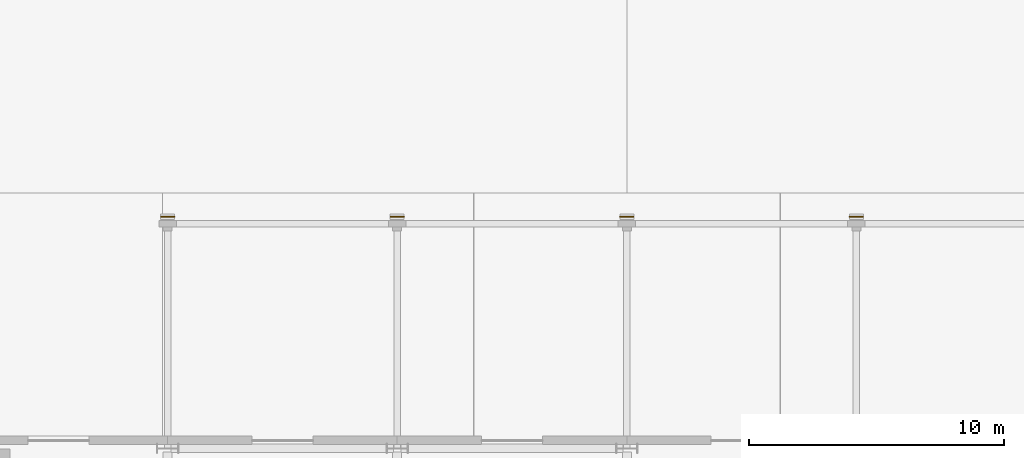
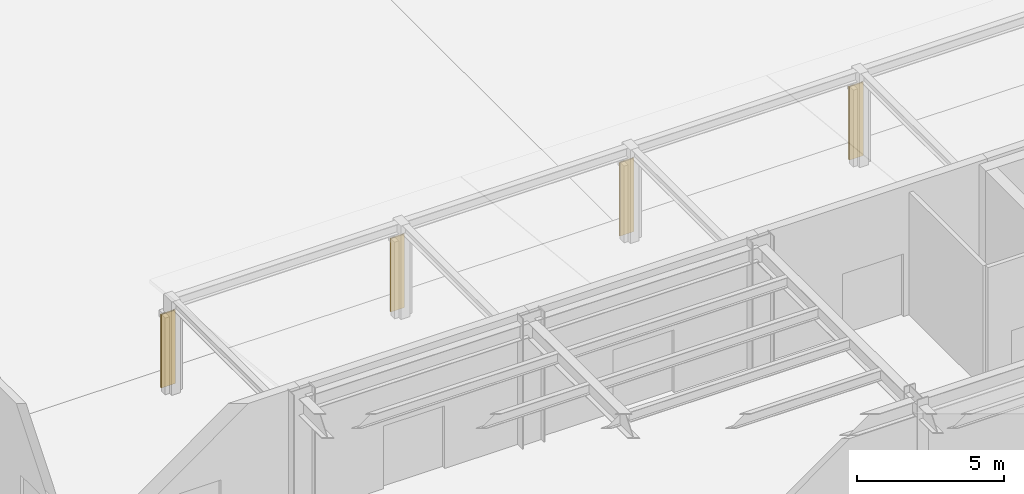
# One storey, part 87 of 94: 4 coverings.
"""IFC4 building model written with IfcOpenShell, lengths in metres."""

from ifc_helpers import new_model, si_unit, direction, frame, origin, origin_2d, place, context, subcontext, project, spatial, rectangle, extrude, material, layer, layer_set, type_object, element, save


model = new_model("IFC4")

# Units and contexts
model_context = context("Model", 3, precision=1e-05, world=origin(), true_north=direction((0.0, 1.0)))
body_context = subcontext(model_context, "Body", "Model", "MODEL_VIEW")
ifc_project = project(units=[si_unit("LENGTHUNIT", "METRE"), si_unit("AREAUNIT", "SQUARE_METRE"), si_unit("VOLUMEUNIT", "CUBIC_METRE"), si_unit("PLANEANGLEUNIT", "RADIAN"), si_unit("MASSUNIT", "GRAM", prefix="KILO")], contexts=[model_context])

# Site, building, storey
site_placement = place(None, origin())
site = spatial("IfcSite", under=ifc_project, at=site_placement, CompositionType="ELEMENT")
building_placement = place(site_placement, origin())
building = spatial("IfcBuilding", under=site, at=building_placement, Name="Sollismere Congress Hotel", CompositionType="ELEMENT")
storey_placement = place(building_placement, origin())
storey = spatial("IfcBuildingStorey", under=building, at=storey_placement, Name="L00", CompositionType="ELEMENT", Elevation=0.0)

# Coverings
ifc_material = material(Name="Carved Anatolian Limestone Column Cladding", Category="masonry")
ifc_layer = layer(ifc_material, 0.050048828125, Name="Carved Anatolian Limestone Column Cladding")
ifc_layer_set = layer_set([ifc_layer], Name="Carved Anatolian Limestone Column Cladding")
covering_type = type_object("IfcCoveringType", Name="COV-CLAD", PredefinedType="CLADDING", material=ifc_layer_set)
for number, where, z_axis, x_axis, name in (
    (1, (67.0, 27.875, 0.02490234375), (0.0, 0.0, 1.0), (1.0, 0.0, 0.0), "COV-CL-01"),
    (2, (76.0, 27.875, 0.02490234375), (0.0, 0.0, 1.0), (1.0, 0.0, 0.0), "COV-CL-02"),
    (3, (85.0, 27.875, 0.02490234375), (0.0, 0.0, 1.0), (1.0, 0.0, 0.0), "COV-CL-03"),
    (4, (94.0, 27.875, 0.02490234375), (0.0, 0.0, 1.0), (1.0, 0.0, 0.0), "COV-CL-04"),
):
    element("IfcCovering", number, at=place(storey_placement, frame(where, z_axis=z_axis, x_axis=x_axis)), inside=storey, type_object=covering_type, Name=name, PredefinedType="CLADDING", context=body_context, shape_type="SweptSolid", body=[
        extrude(rectangle(XDim=0.550048828125, YDim=0.050048828125, at=origin_2d()), origin(), (0.0, 0.0, 1.0), 3.050048828125),
    ])

save(model, "model.ifc")
